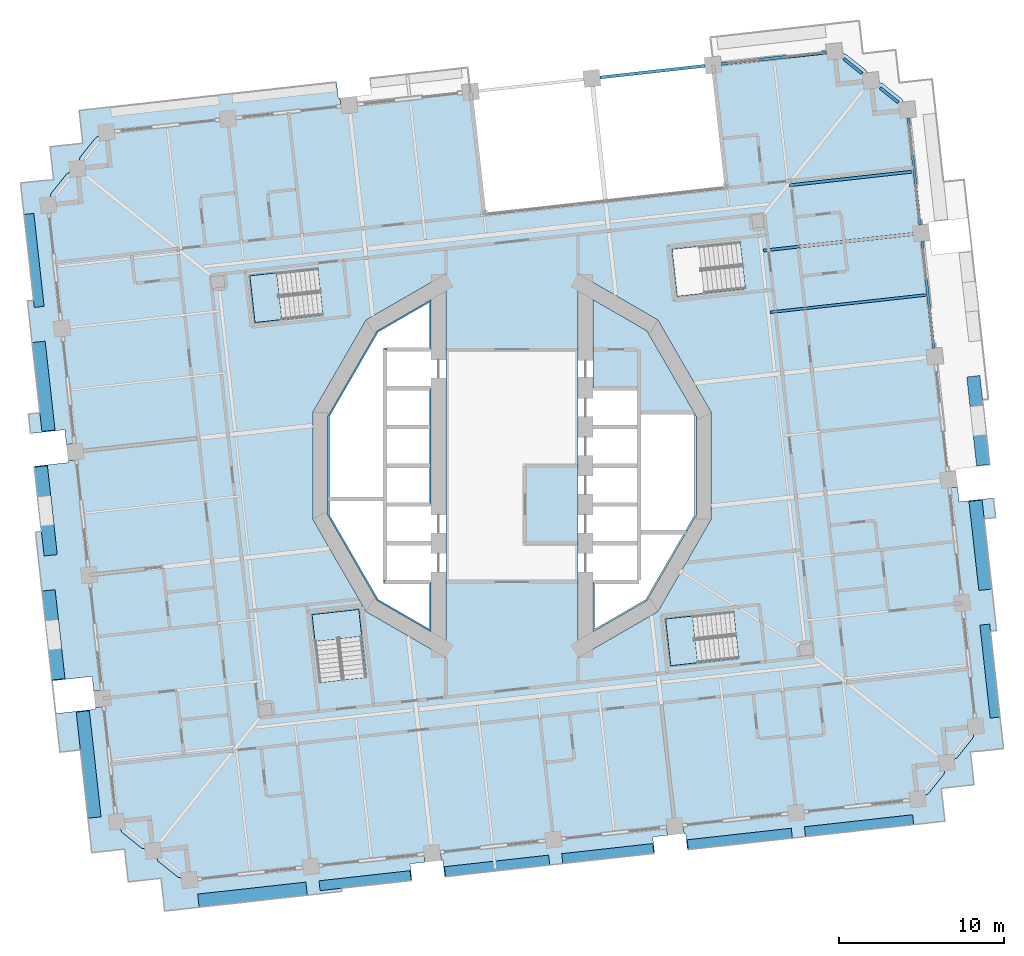
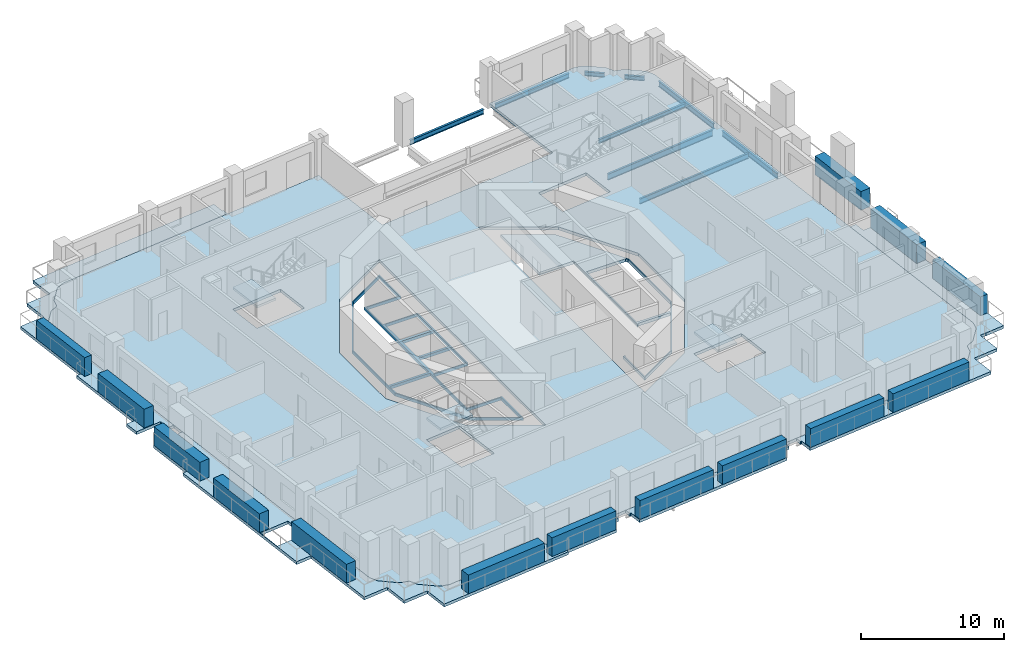
# One storey, part 5 of 20: 14 plates, 10 slabs, 9 beams, 3 elements without a shape of their own.
"""IFC4 building model written with IfcOpenShell, lengths in metres."""

from ifc_helpers import new_model, si_unit, direction, frame, origin, origin_2d, place, context, subcontext, project, spatial, polyline, rectangle, i_section, outline, extrude, material, layer, layer_set, material_profile, profile_set, type_object, element, aggregate, save


model = new_model("IFC4")

# Units and contexts
model_context = context("Model", 3, precision=1e-05, world=origin(), true_north=direction((0.0, 1.0)))
body_context = subcontext(model_context, "Body", "Model", "MODEL_VIEW")
ifc_project = project(units=[si_unit("LENGTHUNIT", "METRE"), si_unit("AREAUNIT", "SQUARE_METRE"), si_unit("VOLUMEUNIT", "CUBIC_METRE"), si_unit("PLANEANGLEUNIT", "RADIAN"), si_unit("MASSUNIT", "GRAM", prefix="KILO")], contexts=[model_context])

# Site, building, storey
site_placement = place(None, origin())
site = spatial("IfcSite", under=ifc_project, at=site_placement, CompositionType="ELEMENT")
building_placement = place(site_placement, origin())
building = spatial("IfcBuilding", under=site, at=building_placement, Name="Cantera Rosa Tower", CompositionType="ELEMENT")
storey_placement = place(building_placement, frame((0.0, 0.0, 46.300048828125)))
storey = spatial("IfcBuildingStorey", under=building, at=storey_placement, Name="L08", CompositionType="ELEMENT", Elevation=46.300048828125)

# Beams
ifc_material_1 = material(Name="Steel ASTM A992 (Fy 345 MPa)", Category="steel")
ifc_material_profile_1 = material_profile(ifc_material_1, i_section(OverallWidth=0.166015625, OverallDepth=0.528076171875, WebThickness=0.009765625, FlangeThickness=0.013671875, FilletRadius=0.0126953125, at=origin_2d()), Name="W530X74")
ifc_profile_set_1 = profile_set([ifc_material_profile_1], Name="Steel ASTM A992 (Fy 345 MPa)")
beam_type_1 = type_object("IfcBeamType", Name="STEEL BEAM W530X74", PredefinedType="BEAM", material=ifc_profile_set_1)
beam_1_placement = place(storey_placement, frame((24.298828125, 14.046142578125, -0.51416015625), z_axis=(-0.993896161189, -0.110319630049, 0.0), x_axis=(0.110319630049, -0.993896161189, 0.0)))
element("IfcBeam", 1, at=beam_1_placement, inside=storey, type_object=beam_type_1, Name="G-Z1-04 L08", PredefinedType="BEAM", context=body_context, shape_type="SweptSolid", body=[
    extrude(i_section(OverallWidth=0.166015625, OverallDepth=0.528076171875, WebThickness=0.009765625, FlangeThickness=0.013671875, FilletRadius=0.0126953125, at=origin_2d()), origin(), (0.0, 0.0, 1.0), 9.10009765625),
])
ifc_material_2 = material(Name="Steel ASTM A992 (Fy 345 MPa)", Category="steel")
ifc_material_profile_2 = material_profile(ifc_material_2, i_section(OverallWidth=0.1708984375, OverallDepth=0.35595703125, WebThickness=0.00732421875, FlangeThickness=0.01171875, FilletRadius=0.010009765625, at=origin_2d()), Name="W360X51")
ifc_profile_set_2 = profile_set([ifc_material_profile_2], Name="Steel ASTM A992 (Fy 345 MPa)")
beam_type_2 = type_object("IfcBeamType", Name="STEEL JOIST W360X51", PredefinedType="JOIST", material=ifc_profile_set_2)
beam_2_placement = place(storey_placement, frame((24.23193359375, 17.82177734375, -0.427978515625), z_axis=(-0.993899688369, -0.110287848199, 0.0), x_axis=(0.110287848199, -0.993899688369, 0.0)))
element("IfcBeam", 2, at=beam_2_placement, inside=storey, type_object=beam_type_2, Name="B-Z1-05 L08", PredefinedType="JOIST", context=body_context, shape_type="SweptSolid", body=[
    extrude(i_section(OverallWidth=0.1708984375, OverallDepth=0.35595703125, WebThickness=0.00732421875, FlangeThickness=0.01171875, FilletRadius=0.010009765625, at=origin_2d()), origin(), (0.0, 0.0, 1.0), 7.4599609375),
])
ifc_material_3 = material(Name="Steel ASTM A992 (Fy 345 MPa)", Category="steel")
ifc_material_profile_3 = material_profile(ifc_material_3, i_section(OverallWidth=0.154052734375, OverallDepth=0.4599609375, WebThickness=0.009033203125, FlangeThickness=0.015380859375, FilletRadius=0.01025390625, at=origin_2d()), Name="W460X68")
ifc_profile_set_3 = profile_set([ifc_material_profile_3], Name="Steel ASTM A992 (Fy 345 MPa)")
beam_type_3 = type_object("IfcBeamType", Name="STEEL JOIST W460X68", PredefinedType="JOIST", material=ifc_profile_set_3)
beam_3_placement = place(storey_placement, frame((25.0615234375, 10.34765625, -0.47998046875), z_axis=(-0.993896645353, -0.110315268011, 0.0), x_axis=(0.110315268011, -0.993896645353, 0.0)))
element("IfcBeam", 3, at=beam_3_placement, inside=storey, type_object=beam_type_3, Name="B-Z1-04 L08", PredefinedType="JOIST", context=body_context, shape_type="SweptSolid", body=[
    extrude(i_section(OverallWidth=0.154052734375, OverallDepth=0.4599609375, WebThickness=0.009033203125, FlangeThickness=0.015380859375, FilletRadius=0.01025390625, at=origin_2d()), origin(), (0.0, 0.0, 1.0), 9.449951171875),
])
ifc_material_4 = material(Name="Steel ASTM A992 (Fy 345 MPa)", Category="steel")
ifc_material_profile_4 = material_profile(ifc_material_4, i_section(OverallWidth=0.1708984375, OverallDepth=0.35595703125, WebThickness=0.00732421875, FlangeThickness=0.01171875, FilletRadius=0.010009765625, at=origin_2d()), Name="W360X51")
ifc_profile_set_4 = profile_set([ifc_material_profile_4], Name="Steel ASTM A992 (Fy 345 MPa)")
beam_type_4 = type_object("IfcBeamType", Name="STEEL SPANDREL BEAM W360X51", PredefinedType="SPANDREL", material=ifc_profile_set_4)
for number, where, z_axis, x_axis, name in (
    (4, (23.4140625, 22.017333984375, -0.427978515625), (-0.780818280208, 0.624758203863, 0.0), (-0.624758203863, -0.780818280208, 0.0), "EB-Z1-06 L08"),
    (5, (21.205810546875, 23.784423828125, -0.427978515625), (-0.780818280208, 0.624758203863, 0.0), (-0.624758203863, -0.780818280208, 0.0), "EB-Z1-07 L08"),
):
    element("IfcBeam", number, at=place(storey_placement, frame(where, z_axis=z_axis, x_axis=x_axis)), inside=storey, type_object=beam_type_4, Name=name, PredefinedType="SPANDREL", context=body_context, shape_type="SweptSolid", body=[
        extrude(i_section(OverallWidth=0.1708984375, OverallDepth=0.35595703125, WebThickness=0.00732421875, FlangeThickness=0.01171875, FilletRadius=0.010009765625, at=origin_2d()), origin(), (0.0, 0.0, 1.0), 1.414306640625),
    ])
ifc_material_5 = material(Name="Steel ASTM A992 (Fy 345 MPa)", Category="steel")
ifc_material_profile_5 = material_profile(ifc_material_5, i_section(OverallWidth=0.177978515625, OverallDepth=0.406005859375, WebThickness=0.0078125, FlangeThickness=0.0126953125, FilletRadius=0.01025390625, at=origin_2d()), Name="W410X60")
ifc_profile_set_5 = profile_set([ifc_material_profile_5], Name="Steel ASTM A992 (Fy 345 MPa)")
beam_type_5 = type_object("IfcBeamType", Name="STEEL SPANDREL BEAM W410X60", PredefinedType="SPANDREL", material=ifc_profile_set_5)
beam_4_placement = place(storey_placement, frame((19.052490234375, 25.0546875, -0.453125), z_axis=(-0.993896288542, -0.110318482689, 0.0), x_axis=(0.110318482689, -0.993896288542, 0.0)))
element("IfcBeam", 6, at=beam_4_placement, inside=storey, type_object=beam_type_5, Name="EB-Z1-08 L08", PredefinedType="SPANDREL", context=body_context, shape_type="SweptSolid", body=[
    extrude(i_section(OverallWidth=0.177978515625, OverallDepth=0.406005859375, WebThickness=0.0078125, FlangeThickness=0.0126953125, FilletRadius=0.01025390625, at=origin_2d()), origin(), (0.0, 0.0, 1.0), 6.400146484375),
])
beam_5_placement = place(storey_placement, frame((11.697509765625, 24.23828125, -0.453125), z_axis=(-0.993895824271, -0.110322665379, 0.0), x_axis=(0.110322665379, -0.993895824271, 0.0)))
element("IfcBeam", 7, at=beam_5_placement, inside=storey, type_object=beam_type_5, Name="EB-Z1-09 L08", PredefinedType="SPANDREL", context=body_context, shape_type="SweptSolid", body=[
    extrude(i_section(OverallWidth=0.177978515625, OverallDepth=0.406005859375, WebThickness=0.0078125, FlangeThickness=0.0126953125, FilletRadius=0.01025390625, at=origin_2d()), origin(), (0.0, 0.0, 1.0), 6.39990234375),
])
ifc_material_6 = material(Name="Steel ASTM A992 (Fy 345 MPa)", Category="steel")
ifc_material_profile_6 = material_profile(ifc_material_6, i_section(OverallWidth=0.154052734375, OverallDepth=0.4599609375, WebThickness=0.009033203125, FlangeThickness=0.015380859375, FilletRadius=0.01025390625, at=origin_2d()), Name="W460X68")
ifc_profile_set_6 = profile_set([ifc_material_profile_6], Name="Steel ASTM A992 (Fy 345 MPa)")
beam_type_6 = type_object("IfcBeamType", Name="STEEL SPANDREL BEAM W460X68", PredefinedType="SPANDREL", material=ifc_profile_set_6)
for number, where, z_axis, x_axis, name in (
    (8, (25.570068359375, 7.124267578125, -0.47998046875), (-0.110312341265, 0.993896970196, 0.0), (-0.993896970196, -0.110312341265, 0.0), "EB-Z1-04 L08"),
    (9, (24.74072265625, 14.598388671875, -0.47998046875), (-0.110312341265, 0.993896970196, 0.0), (-0.993896970196, -0.110312341265, 0.0), "EB-Z1-05 L08"),
):
    element("IfcBeam", number, at=place(storey_placement, frame(where, z_axis=z_axis, x_axis=x_axis)), inside=storey, type_object=beam_type_6, Name=name, PredefinedType="SPANDREL", context=body_context, shape_type="SweptSolid", body=[
        extrude(i_section(OverallWidth=0.154052734375, OverallDepth=0.4599609375, WebThickness=0.009033203125, FlangeThickness=0.015380859375, FilletRadius=0.01025390625, at=origin_2d()), origin(), (0.0, 0.0, 1.0), 6.52001953125),
    ])

# Slabs
ifc_material_7 = material(Name="Concrete C35/45", Category="concrete")
ifc_layer_1 = layer(ifc_material_7, 0.25)
ifc_layer_set_1 = layer_set([ifc_layer_1], Name="COMPOSITE FLOOR SLAB 250 C35/45")
slab_type_1 = type_object("IfcSlabType", Name="COMPOSITE FLOOR SLAB 250 C35/45", PredefinedType="FLOOR", material=ifc_layer_set_1)
slab_1_placement = place(storey_placement, frame((0.0, 0.0, -0.25)))
element("IfcSlab", 10, at=slab_1_placement, inside=storey, type_object=slab_type_1, Name="SLAB L08 floor 1", PredefinedType="FLOOR", context=body_context, shape_type="SweptSolid", body=[
    extrude(outline(polyline([(-7.699951171875, -7.050048828125), (-4.89990234375, -7.050048828125), (-4.89990234375, -10.07373046875), (-8.179931640625, -8.179931640625), (-11.174072265625, -2.994140625), (-11.174072265625, 2.994140625), (-8.179931640625, 8.179931640625), (-4.89990234375, 10.07373046875), (-4.89990234375, 7.050048828125), (-7.699951171875, 7.050048828125), (-7.699951171875, 4.699951171875), (-4.89990234375, 4.699951171875), (-4.89990234375, -2.35009765625), (-7.699951171875, -2.35009765625), (-7.699951171875, -4.699951171875), (-7.699951171875, -7.050048828125)]), holes=[polyline([(-5.0, -9.900390625), (-5.0, -7.14990234375), (-7.800048828125, -7.14990234375), (-7.800048828125, -2.449951171875), (-7.800048828125, -2.25), (-7.800048828125, -2.11474609375), (-11.07421875, -2.11474609375), (-11.07421875, -2.96728515625), (-8.106689453125, -8.106689453125), (-5.0, -9.900390625)]), polyline([(-7.60009765625, -0.10009765625), (-7.60009765625, -2.25), (-5.0, -2.25), (-5.0, -0.10009765625), (-7.60009765625, -0.10009765625)]), polyline([(-7.60009765625, 2.25), (-7.60009765625, 0.10009765625), (-5.0, 0.10009765625), (-5.0, 2.25), (-7.60009765625, 2.25)]), polyline([(-7.60009765625, 4.60009765625), (-7.60009765625, 2.449951171875), (-5.0, 2.449951171875), (-5.0, 4.60009765625), (-7.60009765625, 4.60009765625)]), polyline([(-11.07421875, 2.96728515625), (-11.07421875, -1.914794921875), (-7.800048828125, -1.914794921875), (-7.800048828125, 2.25), (-7.800048828125, 2.449951171875), (-7.800048828125, 7.14990234375), (-5.0, 7.14990234375), (-5.0, 9.900390625), (-8.106689453125, 8.106689453125), (-11.07421875, 2.96728515625)])]), origin(), (0.0, 0.0, 1.0), 0.25),
])
slab_2_placement = place(storey_placement, frame((0.0, 0.0, -0.25)))
element("IfcSlab", 11, at=slab_2_placement, inside=storey, type_object=slab_type_1, Name="SLAB L08 floor 2", PredefinedType="FLOOR", context=body_context, shape_type="SweptSolid", body=[
    extrude(outline(polyline([(-20.288818359375, -24.902099609375), (-21.39306640625, -24.018798828125), (-21.415283203125, -23.999267578125), (-21.435302734375, -23.9775390625), (-21.453125, -23.9541015625), (-21.468505859375, -23.92919921875), (-21.7578125, -23.342529296875), (-22.393310546875, -23.18896484375), (-22.42138671875, -23.179443359375), (-22.447998046875, -23.1669921875), (-22.473388671875, -23.15234375), (-22.497314453125, -23.135009765625), (-23.6015625, -22.25146484375), (-23.62353515625, -22.23193359375), (-23.643798828125, -22.21044921875), (-23.66162109375, -22.18701171875), (-23.677001953125, -22.161865234375), (-23.96630859375, -21.575439453125), (-28.114013671875, 15.795166015625), (-27.960205078125, 16.4306640625), (-27.95068359375, 16.45849609375), (-27.9384765625, 16.4853515625), (-27.923583984375, 16.5107421875), (-27.906494140625, 16.53466796875), (-27.022705078125, 17.638916015625), (-27.00341796875, 17.660888671875), (-26.981689453125, 17.680908203125), (-26.958251953125, 17.69873046875), (-26.933349609375, 17.714111328125), (-26.3466796875, 18.00341796875), (-26.193115234375, 18.63916015625), (-26.18359375, 18.6669921875), (-26.17138671875, 18.693603515625), (-26.156494140625, 18.71923828125), (-26.139404296875, 18.742919921875), (-25.255615234375, 19.84716796875), (-25.236083984375, 19.869384765625), (-25.214599609375, 19.889404296875), (-25.191162109375, 19.9072265625), (-25.166015625, 19.922607421875), (-24.57958984375, 20.2119140625), (-2.51513671875, 22.660888671875), (-1.687744140625, 15.20654296875), (13.02197265625, 16.839111328125), (12.194580078125, 24.29345703125), (18.642578125, 25.00927734375), (19.54931640625, 25.10986328125), (20.18505859375, 24.9560546875), (20.212890625, 24.946533203125), (20.239501953125, 24.934326171875), (20.26513671875, 24.91943359375), (20.288818359375, 24.902099609375), (21.39306640625, 24.018798828125), (21.415283203125, 23.999267578125), (21.435302734375, 23.9775390625), (21.453125, 23.9541015625), (21.468505859375, 23.92919921875), (21.7578125, 23.342529296875), (22.393310546875, 23.18896484375), (22.42138671875, 23.179443359375), (22.447998046875, 23.1669921875), (22.473388671875, 23.15234375), (22.497314453125, 23.135009765625), (23.6015625, 22.25146484375), (23.62353515625, 22.23193359375), (23.643798828125, 22.21044921875), (23.66162109375, 22.18701171875), (23.677001953125, 22.161865234375), (23.96630859375, 21.575439453125), (28.114013671875, -15.795166015625), (27.960205078125, -16.4306640625), (27.95068359375, -16.45849609375), (27.9384765625, -16.4853515625), (27.923583984375, -16.5107421875), (27.906494140625, -16.53466796875), (27.022705078125, -17.638916015625), (27.00341796875, -17.660888671875), (26.981689453125, -17.680908203125), (26.958251953125, -17.69873046875), (26.933349609375, -17.714111328125), (26.3466796875, -18.00341796875), (26.193115234375, -18.63916015625), (26.18359375, -18.6669921875), (26.17138671875, -18.693603515625), (26.156494140625, -18.71923828125), (26.139404296875, -18.742919921875), (25.255615234375, -19.84716796875), (25.236083984375, -19.869384765625), (25.214599609375, -19.889404296875), (25.191162109375, -19.9072265625), (25.166015625, -19.922607421875), (24.57958984375, -20.2119140625), (-18.642578125, -25.00927734375), (-19.54931640625, -25.10986328125), (-20.18505859375, -24.9560546875), (-20.212890625, -24.946533203125), (-20.239501953125, -24.934326171875), (-20.26513671875, -24.91943359375), (-20.288818359375, -24.902099609375)]), holes=[polyline([(-8.83056640625, -12.822265625), (-9.287109375, -8.709716796875), (-12.11962890625, -9.02392578125), (-11.6630859375, -13.13671875), (-8.83056640625, -12.822265625)]), polyline([(-8.8388671875, 8.8388671875), (-12.07421875, 3.235107421875), (-12.07421875, -3.235107421875), (-8.8388671875, -8.8388671875), (-4.0, -11.632568359375), (-4.0, 11.632568359375), (-8.8388671875, 8.8388671875)]), polyline([(-11.46337890625, 9.13671875), (-11.777587890625, 11.969482421875), (-15.890380859375, 11.512939453125), (-15.575927734375, 8.680419921875), (-11.46337890625, 9.13671875)]), polyline([(13.42236328125, -8.83056640625), (9.3095703125, -9.287109375), (9.6240234375, -12.11962890625), (13.73681640625, -11.6630859375), (13.42236328125, -8.83056640625)]), polyline([(4.0, -11.632568359375), (8.8388671875, -8.8388671875), (12.07421875, -3.235107421875), (12.07421875, 3.235107421875), (8.8388671875, 8.8388671875), (4.0, 11.632568359375), (4.0, -11.632568359375)]), polyline([(14.13671875, 10.73681640625), (13.822265625, 13.5693359375), (9.709716796875, 13.11279296875), (10.02392578125, 10.2802734375), (14.13671875, 10.73681640625)])]), origin(), (0.0, 0.0, 1.0), 0.25),
])
slab_3_placement = place(storey_placement, frame((0.0, 0.0, -0.25)))
element("IfcSlab", 12, at=slab_3_placement, inside=storey, type_object=slab_type_1, Name="SLAB L08 floor 3", PredefinedType="FLOOR", context=body_context, shape_type="SweptSolid", body=[
    extrude(outline(polyline([(5.0927734375, -7.050048828125), (5.0, -7.14990234375), (5.0, -9.900390625), (8.106689453125, -8.106689453125), (10.403076171875, -4.12939453125), (7.800048828125, -4.12939453125), (7.699951171875, -4.2373046875), (7.699951171875, -2.35009765625), (7.699951171875, 0.0), (7.699951171875, 2.35009765625), (7.699951171875, 4.699951171875), (4.89990234375, 4.699951171875), (4.89990234375, 10.07373046875), (8.179931640625, 8.179931640625), (11.174072265625, 2.994140625), (11.174072265625, -2.994140625), (8.179931640625, -8.179931640625), (4.89990234375, -10.07373046875), (4.89990234375, -7.050048828125), (5.0927734375, -7.050048828125)]), holes=[polyline([(7.800048828125, 2.449951171875), (7.800048828125, 2.25), (7.800048828125, -2.25), (7.800048828125, -2.449951171875), (7.800048828125, -3.929443359375), (10.5185546875, -3.929443359375), (11.07421875, -2.96728515625), (11.07421875, 2.96728515625), (10.98388671875, 3.12353515625), (7.800048828125, 3.12353515625), (7.800048828125, 2.449951171875)])]), origin(), (0.0, 0.0, 1.0), 0.25),
])
ifc_material_8 = material(Name="Concrete C35/45", Category="concrete")
ifc_layer_2 = layer(ifc_material_8, 0.25)
ifc_layer_set_2 = layer_set([ifc_layer_2], Name="LOGGIA SLAB 250 C35/45")
slab_type_2 = type_object("IfcSlabType", Name="LOGGIA SLAB 250 C35/45", PredefinedType="FLOOR", material=ifc_layer_set_2)
slab_4_placement = place(storey_placement, frame((0.0, 0.0, -0.25)))
element("IfcSlab", 13, at=slab_4_placement, inside=storey, type_object=slab_type_2, Name="LOGGIA SLAB L08 1", PredefinedType="FLOOR", context=body_context, shape_type="SweptSolid", body=[
    extrude(outline(polyline([(-29.36962890625, 9.989501953125), (-29.000732421875, 10.030517578125), (-29.789306640625, 17.1357421875), (-28.28125, 17.302978515625), (-28.279296875, 17.285888671875), (-27.782470703125, 17.341064453125), (-27.837646484375, 17.837890625), (-28.003173828125, 19.328857421875), (-26.51220703125, 19.494384765625), (-26.015380859375, 19.549560546875), (-26.070556640625, 20.04638671875), (-26.236083984375, 21.537353515625), (-24.7451171875, 21.702880859375), (-18.881103515625, 22.353515625), (-15.8994140625, 22.6845703125), (-11.5263671875, 23.169921875), (-10.6318359375, 23.269287109375), (-10.521484375, 22.275390625), (-10.422119140625, 22.286376953125), (-10.366943359375, 21.789306640625), (-24.57958984375, 20.2119140625), (-25.166015625, 19.922607421875), (-25.191162109375, 19.9072265625), (-25.214599609375, 19.889404296875), (-25.236083984375, 19.869384765625), (-25.255615234375, 19.84716796875), (-26.139404296875, 18.742919921875), (-26.156494140625, 18.71923828125), (-26.17138671875, 18.693603515625), (-26.18359375, 18.6669921875), (-26.193115234375, 18.63916015625), (-26.3466796875, 18.00341796875), (-26.933349609375, 17.714111328125), (-26.958251953125, 17.69873046875), (-26.981689453125, 17.680908203125), (-27.00341796875, 17.660888671875), (-27.022705078125, 17.638916015625), (-27.906494140625, 16.53466796875), (-27.923583984375, 16.5107421875), (-27.9384765625, 16.4853515625), (-27.95068359375, 16.45849609375), (-27.960205078125, 16.4306640625), (-28.114013671875, 15.795166015625), (-26.510009765625, 1.34375), (-27.007080078125, 1.288818359375), (-27.106201171875, 2.18310546875), (-29.180908203125, 1.952880859375), (-29.31201171875, 3.133056640625), (-28.6171875, 3.210205078125), (-29.36962890625, 9.989501953125)])), origin(), (0.0, 0.0, 1.0), 0.25),
])
slab_5_placement = place(storey_placement, frame((0.0, 0.0, -0.25)))
element("IfcSlab", 14, at=slab_5_placement, inside=storey, type_object=slab_type_2, Name="LOGGIA SLAB L08 2", PredefinedType="FLOOR", context=body_context, shape_type="SweptSolid", body=[
    extrude(outline(polyline([(-19.36181640625, -26.79931640625), (-21.051513671875, -26.98681640625), (-21.239013671875, -25.29736328125), (-21.272216796875, -24.999267578125), (-21.5703125, -25.0322265625), (-23.260009765625, -25.2197265625), (-23.447509765625, -23.5302734375), (-23.48046875, -23.23193359375), (-23.77880859375, -23.26513671875), (-25.46826171875, -23.45263671875), (-25.65576171875, -21.762939453125), (-26.159912109375, -17.22021484375), (-27.40185546875, -17.358154296875), (-28.882080078125, -4.021240234375), (-28.5224609375, -3.981201171875), (-28.96044921875, -0.034912109375), (-26.885498046875, 0.1953125), (-26.896728515625, 0.294921875), (-26.399658203125, 0.349853515625), (-24.850830078125, -13.6044921875), (-25.347900390625, -13.65966796875), (-25.447265625, -12.764892578125), (-27.83251953125, -13.02978515625), (-27.61181640625, -15.017578125), (-25.2265625, -14.752685546875), (-25.237548828125, -14.653564453125), (-24.740478515625, -14.598388671875), (-23.96630859375, -21.575439453125), (-23.677001953125, -22.161865234375), (-23.66162109375, -22.18701171875), (-23.643798828125, -22.21044921875), (-23.62353515625, -22.23193359375), (-23.6015625, -22.25146484375), (-22.497314453125, -23.135009765625), (-22.473388671875, -23.15234375), (-22.447998046875, -23.1669921875), (-22.42138671875, -23.179443359375), (-22.393310546875, -23.18896484375), (-21.7578125, -23.342529296875), (-21.468505859375, -23.92919921875), (-21.453125, -23.9541015625), (-21.435302734375, -23.9775390625), (-21.415283203125, -23.999267578125), (-21.39306640625, -24.018798828125), (-20.288818359375, -24.902099609375), (-20.26513671875, -24.91943359375), (-20.239501953125, -24.934326171875), (-20.212890625, -24.946533203125), (-20.18505859375, -24.9560546875), (-19.54931640625, -25.10986328125), (-18.642578125, -25.00927734375), (-5.336669921875, -23.5322265625), (-5.281494140625, -24.029296875), (-6.176025390625, -24.12841796875), (-6.064697265625, -25.132080078125), (-10.33837890625, -25.606689453125), (-10.3173828125, -25.795654296875), (-19.36181640625, -26.79931640625)])), origin(), (0.0, 0.0, 1.0), 0.25),
])
slab_6_placement = place(storey_placement, frame((0.0, 0.0, -0.25)))
element("IfcSlab", 15, at=slab_6_placement, inside=storey, type_object=slab_type_2, Name="LOGGIA SLAB L08 4", PredefinedType="FLOOR", context=body_context, shape_type="SweptSolid", body=[
    extrude(outline(polyline([(-4.188232421875, -23.907958984375), (-4.28759765625, -23.9189453125), (-4.3427734375, -23.422119140625), (9.373046875, -21.899658203125), (9.42822265625, -22.396484375), (8.53369140625, -22.495849609375), (8.64404296875, -23.48974609375), (8.544677734375, -23.5009765625), (4.17138671875, -23.986083984375), (1.189697265625, -24.317138671875), (-3.173583984375, -24.801513671875), (-3.172607421875, -24.811279296875), (-4.076904296875, -24.91162109375), (-4.188232421875, -23.907958984375)])), origin(), (0.0, 0.0, 1.0), 0.25),
])
slab_7_placement = place(storey_placement, frame((0.0, 0.0, -0.25)))
element("IfcSlab", 16, at=slab_7_placement, inside=storey, type_object=slab_type_2, Name="LOGGIA SLAB L08 5", PredefinedType="FLOOR", context=body_context, shape_type="SweptSolid", body=[
    extrude(outline(polyline([(29.36962890625, -9.989501953125), (29.000732421875, -10.030517578125), (29.789306640625, -17.1357421875), (28.28125, -17.302978515625), (28.279296875, -17.285888671875), (27.782470703125, -17.341064453125), (27.837646484375, -17.837890625), (28.003173828125, -19.328857421875), (26.51220703125, -19.494384765625), (26.015380859375, -19.549560546875), (26.070556640625, -20.04638671875), (26.236083984375, -21.537353515625), (24.7451171875, -21.702880859375), (18.881103515625, -22.353515625), (15.8994140625, -22.6845703125), (11.5263671875, -23.169921875), (10.6318359375, -23.269287109375), (10.521484375, -22.275390625), (10.422119140625, -22.286376953125), (10.366943359375, -21.789306640625), (24.57958984375, -20.2119140625), (25.166015625, -19.922607421875), (25.191162109375, -19.9072265625), (25.214599609375, -19.889404296875), (25.236083984375, -19.869384765625), (25.255615234375, -19.84716796875), (26.139404296875, -18.742919921875), (26.156494140625, -18.71923828125), (26.17138671875, -18.693603515625), (26.18359375, -18.6669921875), (26.193115234375, -18.63916015625), (26.3466796875, -18.00341796875), (26.933349609375, -17.714111328125), (26.958251953125, -17.69873046875), (26.981689453125, -17.680908203125), (27.00341796875, -17.660888671875), (27.022705078125, -17.638916015625), (27.906494140625, -16.53466796875), (27.923583984375, -16.5107421875), (27.9384765625, -16.4853515625), (27.95068359375, -16.45849609375), (27.960205078125, -16.4306640625), (28.114013671875, -15.795166015625), (26.510009765625, -1.34375), (27.007080078125, -1.288818359375), (27.106201171875, -2.18310546875), (29.180908203125, -1.952880859375), (29.31201171875, -3.133056640625), (28.6171875, -3.210205078125), (29.36962890625, -9.989501953125)])), origin(), (0.0, 0.0, 1.0), 0.25),
])

# Plates
ifc_material_9 = material(Name="Cantera stone planter with soil", Category="masonry")
plate_type_1 = type_object("IfcPlateType", Name="PLANTER 600", PredefinedType="USERDEFINED", material=ifc_material_9)
for number, where, z_axis, x_axis, name in (
    (17, (28.966796875, -12.445556640625, 0.0), (0.0, 0.0, 1.0), (-0.110312555526, 0.993896946415, 0.0), "PLANTER L08-01"),
    (18, (-28.966796875, 12.445556640625, 0.0), (0.0, 0.0, 1.0), (0.110312555526, -0.993896946415, 0.0), "PLANTER L08-12"),
):
    element("IfcPlate", number, at=place(storey_placement, frame(where, z_axis=z_axis, x_axis=x_axis)), inside=storey, type_object=plate_type_1, Name=name, ObjectType="PLANTER", PredefinedType="USERDEFINED", context=body_context, shape_type="SweptSolid", body=[
        extrude(rectangle(XDim=5.669921875, YDim=0.60009765625, at=origin_2d()), origin(), (0.0, 0.0, 1.0), 1.60009765625),
    ])
plate_1_placement = place(storey_placement, frame((-8.905517578125, -25.145751953125, 0.0), z_axis=(0.0, 0.0, 1.0), x_axis=(0.993896946415, 0.110312555526, 0.0)))
element("IfcPlate", 19, at=plate_1_placement, inside=storey, type_object=plate_type_1, Name="PLANTER L08-18", ObjectType="PLANTER", PredefinedType="USERDEFINED", context=body_context, shape_type="SweptSolid", body=[
    extrude(rectangle(XDim=5.550048828125, YDim=0.60009765625, at=origin_2d()), origin(), (0.0, 0.0, 1.0), 1.60009765625),
])
plate_2_placement = place(storey_placement, frame((-0.90576171875, -24.247802734375, 0.0), z_axis=(0.0, 0.0, 1.0), x_axis=(0.993896946415, 0.110312555526, 0.0)))
element("IfcPlate", 20, at=plate_2_placement, inside=storey, type_object=plate_type_1, Name="PLANTER L08-19", ObjectType="PLANTER", PredefinedType="USERDEFINED", context=body_context, shape_type="SweptSolid", body=[
    extrude(rectangle(XDim=6.35009765625, YDim=0.60009765625, at=origin_2d()), origin(), (0.0, 0.0, 1.0), 1.60009765625),
])
plate_3_placement = place(storey_placement, frame((5.80322265625, -23.503173828125, 0.0), z_axis=(0.0, 0.0, 1.0), x_axis=(0.993896946415, 0.110312555526, 0.0)))
element("IfcPlate", 21, at=plate_3_placement, inside=storey, type_object=plate_type_1, Name="PLANTER L08-20", ObjectType="PLANTER", PredefinedType="USERDEFINED", context=body_context, shape_type="SweptSolid", body=[
    extrude(rectangle(XDim=5.550048828125, YDim=0.60009765625, at=origin_2d()), origin(), (0.0, 0.0, 1.0), 1.60009765625),
])
plate_4_placement = place(storey_placement, frame((13.803955078125, -22.615234375, 0.0), z_axis=(0.0, 0.0, 1.0), x_axis=(0.993896946415, 0.110312555526, 0.0)))
element("IfcPlate", 22, at=plate_4_placement, inside=storey, type_object=plate_type_1, Name="PLANTER L08-21", ObjectType="PLANTER", PredefinedType="USERDEFINED", context=body_context, shape_type="SweptSolid", body=[
    extrude(rectangle(XDim=6.35009765625, YDim=0.60009765625, at=origin_2d()), origin(), (0.0, 0.0, 1.0), 1.60009765625),
])
plate_5_placement = place(storey_placement, frame((21.03466796875, -21.812744140625, 0.0), z_axis=(0.0, 0.0, 1.0), x_axis=(0.993896946415, 0.110312555526, 0.0)))
element("IfcPlate", 23, at=plate_5_placement, inside=storey, type_object=plate_type_1, Name="PLANTER L08-22", ObjectType="PLANTER", PredefinedType="USERDEFINED", context=body_context, shape_type="SweptSolid", body=[
    extrude(rectangle(XDim=6.60009765625, YDim=0.60009765625, at=origin_2d()), origin(), (0.0, 0.0, 1.0), 1.60009765625),
])
ifc_material_10 = material(Name="Cantera stone planter with soil", Category="masonry")
plate_type_2 = type_object("IfcPlateType", Name="PLANTER 800", PredefinedType="USERDEFINED", material=ifc_material_10)
for number, where, z_axis, x_axis, name in (
    (24, (28.393310546875, -4.8173828125, 0.0), (0.0, 0.0, 1.0), (-0.110312555526, 0.993896946415, 0.0), "PLANTER L08-02"),
    (25, (28.25830078125, 2.73388671875, 0.0), (0.0, 0.0, 1.0), (-0.110312555526, 0.993896946415, 0.0), "PLANTER L08-03"),
    (26, (-28.393310546875, 4.8173828125, 0.0), (0.0, 0.0, 1.0), (0.110312555526, -0.993896946415, 0.0), "PLANTER L08-13"),
    (27, (-28.25830078125, -2.73388671875, 0.0), (0.0, 0.0, 1.0), (0.110312555526, -0.993896946415, 0.0), "PLANTER L08-14"),
    (28, (-27.78857421875, -10.248046875, 0.0), (0.0, 0.0, 1.0), (0.110312555526, -0.993896946415, 0.0), "PLANTER L08-15"),
):
    element("IfcPlate", number, at=place(storey_placement, frame(where, z_axis=z_axis, x_axis=x_axis)), inside=storey, type_object=plate_type_2, Name=name, ObjectType="PLANTER", PredefinedType="USERDEFINED", context=body_context, shape_type="SweptSolid", body=[
        extrude(rectangle(XDim=5.419921875, YDim=0.800048828125, at=origin_2d()), origin(), (0.0, 0.0, 1.0), 1.60009765625),
    ])
plate_6_placement = place(storey_placement, frame((-25.6591796875, -18.10595703125, 0.0), z_axis=(0.0, 0.0, 1.0), x_axis=(0.110312555526, -0.993896946415, 0.0)))
element("IfcPlate", 29, at=plate_6_placement, inside=storey, type_object=plate_type_2, Name="PLANTER L08-16", ObjectType="PLANTER", PredefinedType="USERDEFINED", context=body_context, shape_type="SweptSolid", body=[
    extrude(rectangle(XDim=6.469970703125, YDim=0.800048828125, at=origin_2d()), origin(), (0.0, 0.0, 1.0), 1.60009765625),
])
plate_7_placement = place(storey_placement, frame((-15.728515625, -25.99365234375, 0.0), z_axis=(0.0, 0.0, 1.0), x_axis=(0.993896946415, 0.110312555526, 0.0)))
element("IfcPlate", 30, at=plate_7_placement, inside=storey, type_object=plate_type_2, Name="PLANTER L08-17", ObjectType="PLANTER", PredefinedType="USERDEFINED", context=body_context, shape_type="SweptSolid", body=[
    extrude(rectangle(XDim=6.60009765625, YDim=0.800048828125, at=origin_2d()), origin(), (0.0, 0.0, 1.0), 1.60009765625),
])

# Stair, slab
ifc_material_11 = material(Name="Concrete C35/45", Category="concrete")
stair_type = type_object("IfcStairType", Name="EXIT STAIR 1350 DOGLEG", PredefinedType="HALF_TURN_STAIR", material=ifc_material_11)
stair_1_placement = place(storey_placement, origin())
stair_1 = element("IfcStair", 31, at=stair_1_placement, inside=storey, type_object=stair_type, Name="L08 ST-12", PredefinedType="HALF_TURN_STAIR")
ifc_material_12 = material(Name="Concrete C35/45", Category="concrete")
ifc_layer_3 = layer(ifc_material_12, 0.199951171875)
ifc_layer_set_3 = layer_set([ifc_layer_3], Name="STAIR LANDING 200")
slab_type_3 = type_object("IfcSlabType", Name="STAIR LANDING 200", PredefinedType="LANDING", material=ifc_layer_set_3)
slab_8_placement = place(storey_placement, frame((0.0, 0.0, 1.699951171875)))
slab_8 = element("IfcSlab", 32, at=slab_8_placement, type_object=slab_type_3, Name="ST-12 landing 1", PredefinedType="LANDING", context=body_context, shape_type="SweptSolid", body=[
    extrude(outline(polyline([(-14.258544921875, 11.694091796875), (-15.890380859375, 11.512939453125), (-15.575927734375, 8.680419921875), (-13.944091796875, 8.861572265625), (-14.258544921875, 11.694091796875)])), origin(), (0.0, 0.0, 1.0), 0.199951171875),
])
aggregate(stair_1, [slab_8])

stair_2_placement = place(storey_placement, origin())
stair_2 = element("IfcStair", 33, at=stair_2_placement, inside=storey, type_object=stair_type, Name="L08 ST-13", PredefinedType="HALF_TURN_STAIR")
slab_9_placement = place(storey_placement, frame((0.0, 0.0, 1.699951171875)))
slab_9 = element("IfcSlab", 34, at=slab_9_placement, type_object=slab_type_3, Name="ST-13 landing 1", PredefinedType="LANDING", context=body_context, shape_type="SweptSolid", body=[
    extrude(outline(polyline([(-9.10595703125, -10.341552734375), (-9.287109375, -8.70947265625), (-12.11962890625, -9.02392578125), (-11.9384765625, -10.656005859375), (-9.10595703125, -10.341552734375)])), origin(), (0.0, 0.0, 1.0), 0.199951171875),
])
aggregate(stair_2, [slab_9])

stair_3_placement = place(storey_placement, origin())
stair_3 = element("IfcStair", 35, at=stair_3_placement, inside=storey, type_object=stair_type, Name="L08 ST-14", PredefinedType="HALF_TURN_STAIR")
slab_10_placement = place(storey_placement, frame((0.0, 0.0, 1.699951171875)))
slab_10 = element("IfcSlab", 36, at=slab_10_placement, type_object=slab_type_3, Name="ST-14 landing 1", PredefinedType="LANDING", context=body_context, shape_type="SweptSolid", body=[
    extrude(outline(polyline([(10.941650390625, -9.10595703125), (9.3095703125, -9.287109375), (9.6240234375, -12.11962890625), (11.255859375, -11.9384765625), (10.941650390625, -9.10595703125)])), origin(), (0.0, 0.0, 1.0), 0.199951171875),
])
aggregate(stair_3, [slab_10])

save(model, "model.ifc")
